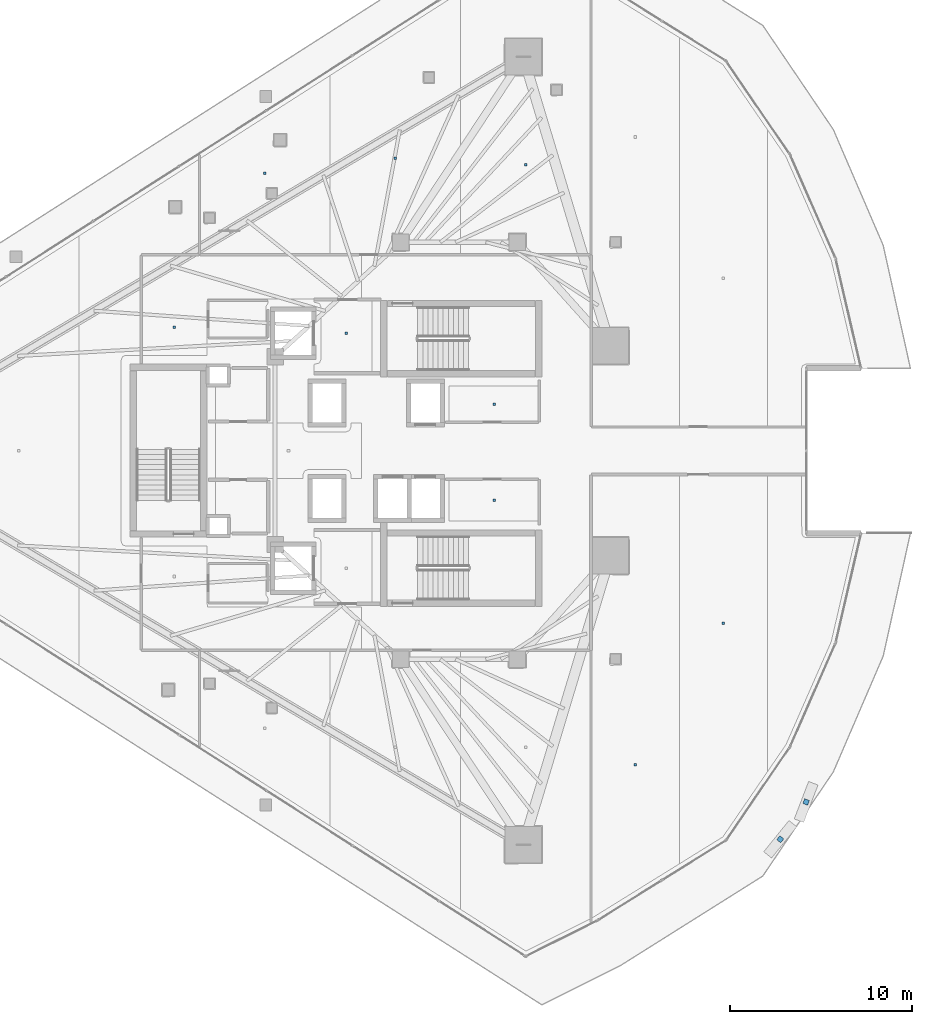
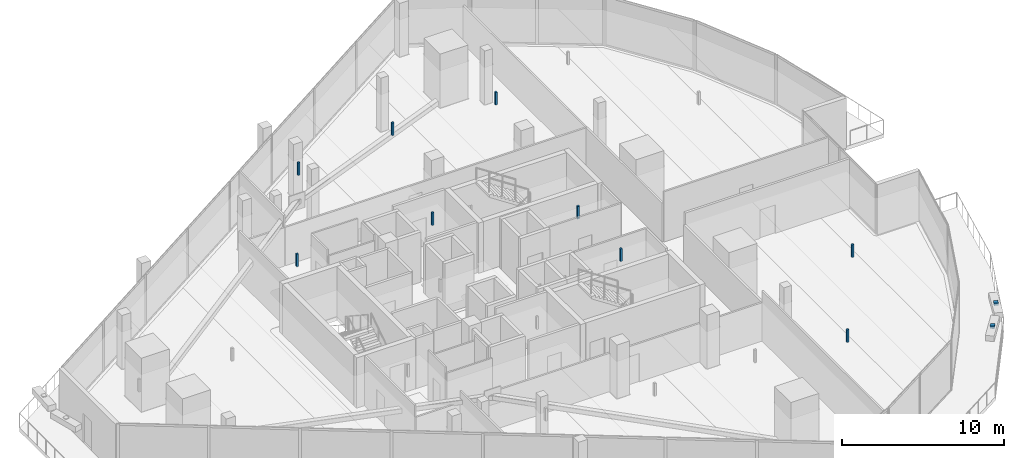
# One storey, part 31 of 39: 11 discrete accessories.
"""IFC4 building model written with IfcOpenShell, lengths in metres."""

from ifc_helpers import new_model, si_unit, direction, frame, origin, origin_2d, place, context, subcontext, project, spatial, rectangle, extrude, material, type_object, element, save


model = new_model("IFC4")

# Units and contexts
model_context = context("Model", 3, precision=1e-05, world=origin(), true_north=direction((0.0, 1.0)))
body_context = subcontext(model_context, "Body", "Model", "MODEL_VIEW")
ifc_project = project(units=[si_unit("LENGTHUNIT", "METRE"), si_unit("AREAUNIT", "SQUARE_METRE"), si_unit("VOLUMEUNIT", "CUBIC_METRE"), si_unit("PLANEANGLEUNIT", "RADIAN"), si_unit("MASSUNIT", "GRAM", prefix="KILO")], contexts=[model_context])

# Site, building, storey
site_placement = place(None, origin())
site = spatial("IfcSite", under=ifc_project, at=site_placement, CompositionType="ELEMENT")
building_placement = place(site_placement, origin())
building = spatial("IfcBuilding", under=site, at=building_placement, Name="Qorvath Tower", CompositionType="ELEMENT")
storey_placement = place(building_placement, frame((0.0, 0.0, 201.0)))
storey = spatial("IfcBuildingStorey", under=building, at=storey_placement, Name="L46", CompositionType="ELEMENT", Elevation=201.0)

# Discrete accessories
ifc_material = material(Name="Galvanised steel bracket", Category="steel")
discrete_accessory_type = type_object("IfcDiscreteAccessoryType", Name="DA-BRACKET", PredefinedType="BRACKET", material=ifc_material)
for number, where, z_axis, x_axis, name in (
    (1, (-2.759521484375, -21.33642578125, 3.64013671875), (0.0, 0.0, 1.0), (0.628628390287, 0.777705822869, 0.0), "Louvre Wave Support Bracket L46-03"),
    (2, (-1.33935546875, -19.288818359375, 3.64013671875), (0.0, 0.0, 1.0), (0.357683503127, 0.933842873074, 0.0), "Louvre Wave Support Bracket L46-04"),
):
    element("IfcDiscreteAccessory", number, at=place(storey_placement, frame(where, z_axis=z_axis, x_axis=x_axis)), inside=storey, type_object=discrete_accessory_type, Name=name, PredefinedType="NOTDEFINED", context=body_context, shape_type="SweptSolid", body=[
        extrude(rectangle(XDim=0.280029296875, YDim=0.280029296875, at=origin_2d()), origin(), (0.0, 0.0, 1.0), 0.199951171875),
    ])
for number, where, z_axis, x_axis, name in (
    (3, (-26.590087890625, 6.449951171875, 2.85986328125), (0.0, 0.0, 1.0), (1.0, 0.0, 0.0), "Acoustic Ceiling Suspension Hanger T1-L46-001"),
    (4, (-18.472412109375, 2.5625, 2.85986328125), (0.0, 0.0, 1.0), (1.0, 0.0, 0.0), "Acoustic Ceiling Suspension Hanger T1-L46-003"),
    (5, (-18.472412109375, -2.70751953125, 2.85986328125), (0.0, 0.0, 1.0), (1.0, 0.0, 0.0), "Acoustic Ceiling Suspension Hanger T1-L46-004"),
    (6, (-36.040283203125, 6.782470703125, 2.85986328125), (0.0, 0.0, 1.0), (1.0, 0.0, 0.0), "Acoustic Ceiling Suspension Hanger T1-L46-010"),
    (7, (-31.056640625, 15.23681640625, 2.85986328125), (0.0, 0.0, 1.0), (1.0, 0.0, 0.0), "Acoustic Ceiling Suspension Hanger T1-L46-015"),
    (8, (-23.89599609375, 16.05126953125, 2.85986328125), (0.0, 0.0, 1.0), (1.0, 0.0, 0.0), "Acoustic Ceiling Suspension Hanger T1-L46-016"),
    (9, (-16.7353515625, 15.712646484375, 2.85986328125), (0.0, 0.0, 1.0), (1.0, 0.0, 0.0), "Acoustic Ceiling Suspension Hanger T1-L46-017"),
    (10, (-10.72021484375, -17.236328125, 2.85986328125), (0.0, 0.0, 1.0), (1.0, 0.0, 0.0), "Acoustic Ceiling Suspension Hanger T1-L46-024"),
    (11, (-5.886962890625, -9.474609375, 2.85986328125), (0.0, 0.0, 1.0), (1.0, 0.0, 0.0), "Acoustic Ceiling Suspension Hanger T1-L46-025"),
):
    element("IfcDiscreteAccessory", number, at=place(storey_placement, frame(where, z_axis=z_axis, x_axis=x_axis)), inside=storey, type_object=discrete_accessory_type, Name=name, PredefinedType="NOTDEFINED", context=body_context, shape_type="SweptSolid", body=[
        extrude(rectangle(XDim=0.139892578125, YDim=0.139892578125, at=origin_2d()), origin(), (0.0, 0.0, 1.0), 0.949951171875),
    ])

save(model, "model.ifc")
